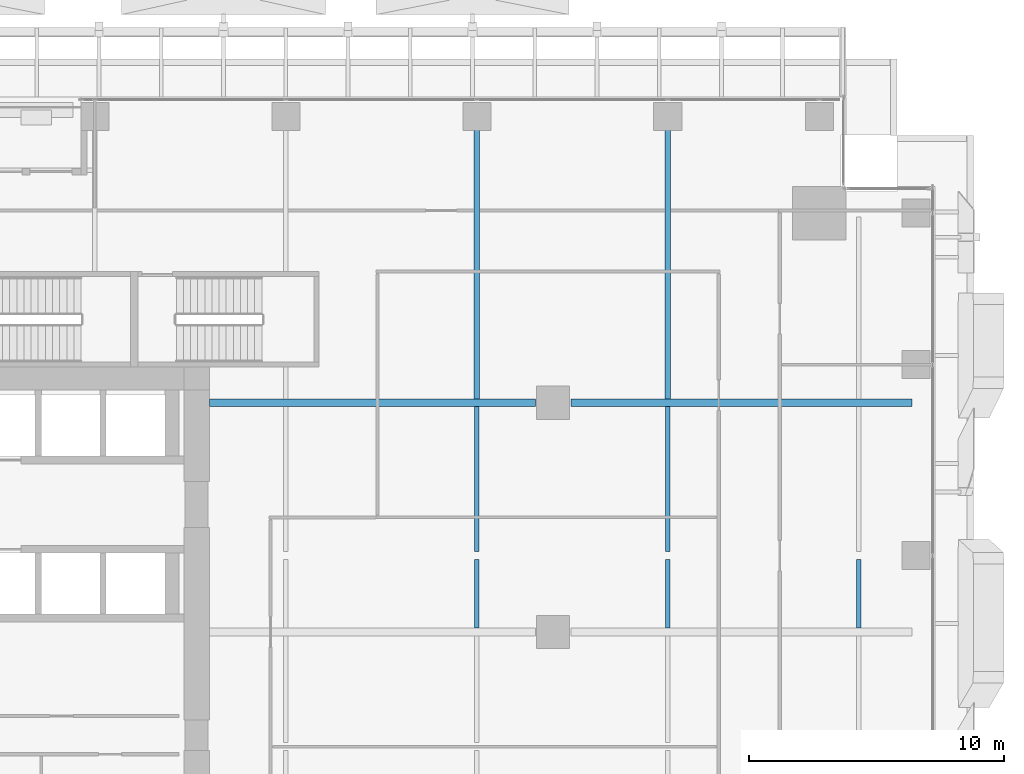
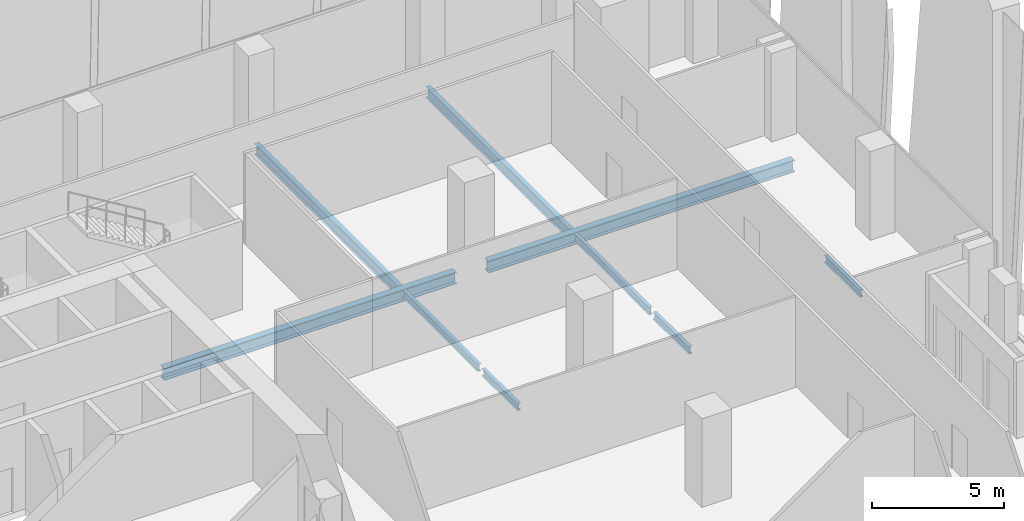
# One storey, part 16 of 37: 9 beams.
"""IFC4 building model written with IfcOpenShell, lengths in metres."""

from ifc_helpers import new_model, si_unit, direction, frame, origin, origin_2d, place, context, subcontext, project, spatial, i_section, extrude, source, transform, mapped, material, material_profile, profile_set, type_object, element, save


model = new_model("IFC4")

# Units and contexts
model_context = context("Model", 3, precision=1e-05, world=origin(), true_north=direction((0.0, 1.0)))
body_context = subcontext(model_context, "Body", "Model", "MODEL_VIEW")
ifc_project = project(units=[si_unit("LENGTHUNIT", "METRE"), si_unit("AREAUNIT", "SQUARE_METRE"), si_unit("VOLUMEUNIT", "CUBIC_METRE"), si_unit("PLANEANGLEUNIT", "RADIAN"), si_unit("MASSUNIT", "GRAM", prefix="KILO")], contexts=[model_context])

# Site, building, storey
site_placement = place(None, origin())
site = spatial("IfcSite", under=ifc_project, at=site_placement, CompositionType="ELEMENT")
building_placement = place(site_placement, origin())
building = spatial("IfcBuilding", under=site, at=building_placement, Name="Khomas Fold Tower", CompositionType="ELEMENT")
storey_placement = place(building_placement, frame((0.0, 0.0, 101.5)))
storey = spatial("IfcBuildingStorey", under=building, at=storey_placement, Name="L21", CompositionType="ELEMENT", Elevation=101.5)

# Beams
ifc_material_1 = material(Name="Steel S355", Category="steel")
ifc_material_profile_1 = material_profile(ifc_material_1, i_section(OverallWidth=0.300048828125, OverallDepth=0.550048828125, WebThickness=0.014892578125, FlangeThickness=0.029052734375, at=origin_2d()), Name="HE 550 B")
ifc_profile_set_1 = profile_set([ifc_material_profile_1], Name="Steel S355")
beam_type_1 = type_object("IfcBeamType", Name="HE 550 B beam GB4", PredefinedType="BEAM", material=ifc_profile_set_1)
shared_shape_1 = source(origin(), body_context, "Body", "SweptSolid", [
    extrude(i_section(OverallWidth=0.300048828125, OverallDepth=0.550048828125, WebThickness=0.014892578125, FlangeThickness=0.029052734375, at=origin_2d()), origin(), (0.0, 0.0, 1.0), 12.800048828125),
])
beam_1_placement = place(storey_placement, frame((24.0, 40.5, -0.574951171875), z_axis=(1.0, 0.0, 0.0), x_axis=(0.0, 1.0, 0.0)))
element("IfcBeam", 1, at=beam_1_placement, inside=storey, type_object=beam_type_1, Name="GB4", PredefinedType="BEAM", context=body_context, shape_type="MappedRepresentation", body=[
    mapped(shared_shape_1, transform((0.0, 0.0, 0.0))),
])
shared_shape_2 = source(origin(), body_context, "Body", "SweptSolid", [
    extrude(i_section(OverallWidth=0.300048828125, OverallDepth=0.550048828125, WebThickness=0.014892578125, FlangeThickness=0.029052734375, at=origin_2d()), origin(), (0.0, 0.0, 1.0), 13.400146484375),
])
beam_2_placement = place(storey_placement, frame((38.199951171875, 40.5, -0.574951171875), z_axis=(1.0, 0.0, 0.0), x_axis=(0.0, 1.0, 0.0)))
element("IfcBeam", 2, at=beam_2_placement, inside=storey, type_object=beam_type_1, Name="GB4", PredefinedType="BEAM", context=body_context, shape_type="MappedRepresentation", body=[
    mapped(shared_shape_2, transform((0.0, 0.0, 0.0))),
])
ifc_material_2 = material(Name="Steel S355", Category="steel")
ifc_material_profile_2 = material_profile(ifc_material_2, i_section(OverallWidth=0.199951171875, OverallDepth=0.5, WebThickness=0.01025390625, FlangeThickness=0.01611328125, at=origin_2d()), Name="IPE 500")
ifc_profile_set_2 = profile_set([ifc_material_profile_2], Name="Steel S355")
beam_type_2 = type_object("IfcBeamType", Name="IPE 500 beam JB5", PredefinedType="BEAM", material=ifc_profile_set_2)
shared_shape_3 = source(origin(), body_context, "Body", "SweptSolid", [
    extrude(i_section(OverallWidth=0.199951171875, OverallDepth=0.5, WebThickness=0.01025390625, FlangeThickness=0.01611328125, at=origin_2d()), origin(), (0.0, 0.0, 1.0), 10.900146484375),
])
for number, where, z_axis, x_axis, name in (
    (3, (34.5, 40.64990234375, -0.550048828125), (0.0, 1.0, 0.0), (-1.0, 0.0, 0.0), "JB5"),
    (4, (42.0, 40.64990234375, -0.550048828125), (0.0, 1.0, 0.0), (-1.0, 0.0, 0.0), "JB5"),
):
    element("IfcBeam", number, at=place(storey_placement, frame(where, z_axis=z_axis, x_axis=x_axis)), inside=storey, type_object=beam_type_2, Name=name, PredefinedType="BEAM", context=body_context, shape_type="MappedRepresentation", body=[
        mapped(shared_shape_3, transform((0.0, 0.0, 0.0))),
    ])
ifc_material_3 = material(Name="Steel S355", Category="steel")
ifc_material_profile_3 = material_profile(ifc_material_3, i_section(OverallWidth=0.159912109375, OverallDepth=0.330078125, WebThickness=0.007568359375, FlangeThickness=0.011474609375, at=origin_2d()), Name="IPE 330")
ifc_profile_set_3 = profile_set([ifc_material_profile_3], Name="Steel S355")
beam_type_3 = type_object("IfcBeamType", Name="IPE 330 beam JB1", PredefinedType="BEAM", material=ifc_profile_set_3)
shared_shape_4 = source(origin(), body_context, "Body", "SweptSolid", [
    extrude(i_section(OverallWidth=0.159912109375, OverallDepth=0.330078125, WebThickness=0.007568359375, FlangeThickness=0.011474609375, at=origin_2d()), origin(), (0.0, 0.0, 1.0), 5.698486328125),
])
for number, where, z_axis, x_axis, name in (
    (5, (34.5, 34.651611328125, -0.465087890625), (0.0, 1.0, 0.0), (-1.0, 0.0, 0.0), "JB1"),
    (6, (42.0, 34.651611328125, -0.465087890625), (0.0, 1.0, 0.0), (-1.0, 0.0, 0.0), "JB1"),
):
    element("IfcBeam", number, at=place(storey_placement, frame(where, z_axis=z_axis, x_axis=x_axis)), inside=storey, type_object=beam_type_3, Name=name, PredefinedType="BEAM", context=body_context, shape_type="MappedRepresentation", body=[
        mapped(shared_shape_4, transform((0.0, 0.0, 0.0))),
    ])
shared_shape_5 = source(origin(), body_context, "Body", "SweptSolid", [
    extrude(i_section(OverallWidth=0.159912109375, OverallDepth=0.330078125, WebThickness=0.007568359375, FlangeThickness=0.011474609375, at=origin_2d()), origin(), (0.0, 0.0, 1.0), 2.698486328125),
])
for number, where, z_axis, x_axis, name in (
    (7, (34.5, 31.64990234375, -0.465087890625), (0.0, 1.0, 0.0), (-1.0, 0.0, 0.0), "JB1"),
    (8, (42.0, 31.64990234375, -0.465087890625), (0.0, 1.0, 0.0), (-1.0, 0.0, 0.0), "JB1"),
    (9, (49.5, 31.64990234375, -0.465087890625), (0.0, 1.0, 0.0), (-1.0, 0.0, 0.0), "JB1"),
):
    element("IfcBeam", number, at=place(storey_placement, frame(where, z_axis=z_axis, x_axis=x_axis)), inside=storey, type_object=beam_type_3, Name=name, PredefinedType="BEAM", context=body_context, shape_type="MappedRepresentation", body=[
        mapped(shared_shape_5, transform((0.0, 0.0, 0.0))),
    ])

save(model, "model.ifc")
